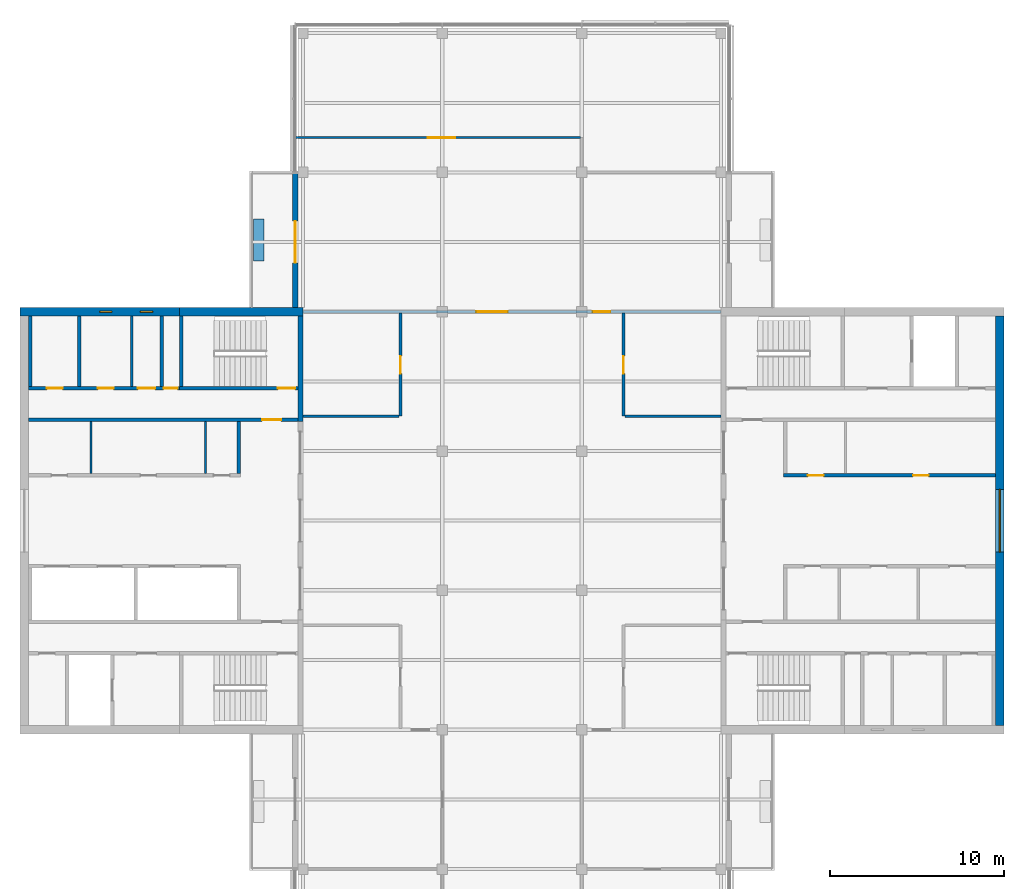
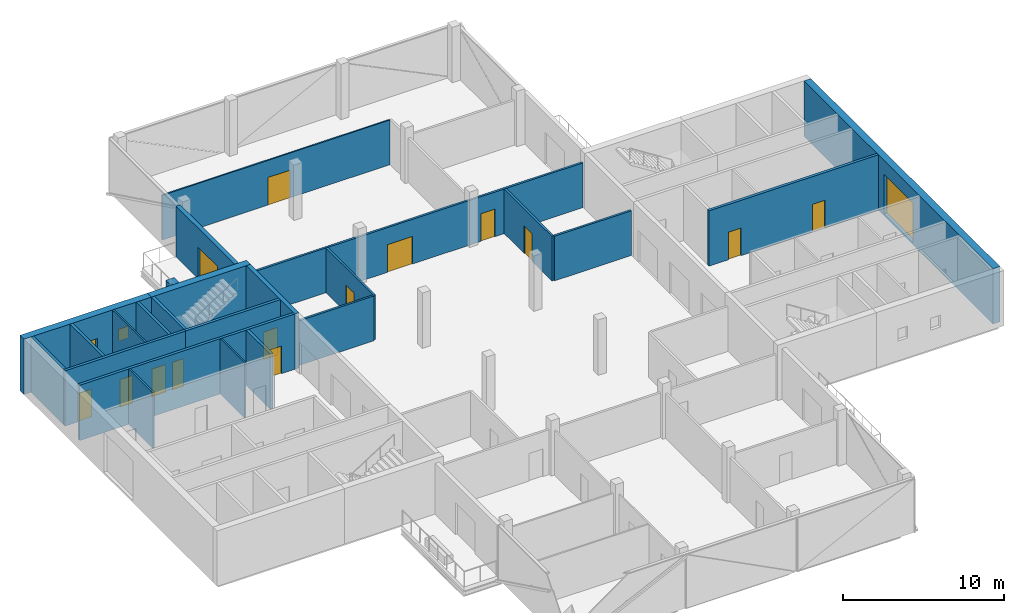
# One storey, part 7 of 11: 24 walls, 14 doors, 3 windows, 17 openings.
"""IFC4 building model written with IfcOpenShell, lengths in metres."""

from ifc_helpers import new_model, si_unit, direction, frame, frame_2d, origin, place, context, subcontext, project, spatial, rectangle, extrude, material, layer, layer_set, constituent, constituent_set, type_object, element, fill, save


model = new_model("IFC4")

# Units and contexts
model_context = context("Model", 3, precision=1e-05, world=origin(), true_north=direction((0.0, 1.0)))
body_context = subcontext(model_context, "Body", "Model", "MODEL_VIEW")
ifc_project = project(units=[si_unit("LENGTHUNIT", "METRE"), si_unit("AREAUNIT", "SQUARE_METRE"), si_unit("VOLUMEUNIT", "CUBIC_METRE"), si_unit("PLANEANGLEUNIT", "RADIAN"), si_unit("MASSUNIT", "GRAM", prefix="KILO")], contexts=[model_context])

# Site, building, storey
site_placement = place(None, origin())
site = spatial("IfcSite", under=ifc_project, at=site_placement, CompositionType="ELEMENT")
building_placement = place(site_placement, origin())
building = spatial("IfcBuilding", under=site, at=building_placement, Name="Crosswind Convention Tower", CompositionType="ELEMENT")
storey_placement = place(building_placement, frame((0.0, 0.0, 344.89990234375)))
storey = spatial("IfcBuildingStorey", under=building, at=storey_placement, Name="L75", CompositionType="ELEMENT", Elevation=344.89990234375)

# Walls
ifc_material_1 = material(Name="Concrete blockwork", Category="masonry")
ifc_layer_1 = layer(ifc_material_1, 0.199951171875)
ifc_layer_set_1 = layer_set([ifc_layer_1], Name="Blockwork partition wall 200")
wall_type_1 = type_object("IfcWallType", Name="Blockwork partition wall 200", PredefinedType="PARTITIONING", material=ifc_layer_set_1)
wall_1_placement = place(storey_placement, frame((104.89990234375, 111.75, 0.0), z_axis=(0.0, 0.0, 1.0), x_axis=(0.0, -1.0, 0.0)))
element("IfcWall", 1, at=wall_1_placement, inside=storey, type_object=wall_type_1, Name="Wall MRSE W L75", PredefinedType="PARTITIONING", context=body_context, shape_type="SweptSolid", body=[
    extrude(rectangle(XDim=4.050048828125, YDim=0.199951171875, at=frame_2d((2.02490234375, 0.0))), origin(), (0.0, 0.0, 1.0), 4.2001953125),
])
ifc_material_2 = material(Name="Concrete C50/60", Category="concrete")
ifc_layer_2 = layer(ifc_material_2, 0.300048828125)
ifc_layer_set_2 = layer_set([ifc_layer_2], Name="Concrete C50/60")
wall_type_2 = type_object("IfcWallType", Name="Concrete inner core wall 300", PredefinedType="SHEAR", material=ifc_layer_set_2)
wall_2_placement = place(storey_placement, frame((112.85009765625, 111.75, 0.0), z_axis=(0.0, 0.0, 1.0), x_axis=(0.0, -1.0, 0.0)))
element("IfcWall", 2, at=wall_2_placement, inside=storey, type_object=wall_type_2, Name="Wall EM W L75", PredefinedType="SHEAR", context=body_context, shape_type="SweptSolid", body=[
    extrude(rectangle(XDim=6.050048828125, YDim=0.300048828125, at=frame_2d((3.02490234375, 0.0))), origin(), (0.0, 0.0, 1.0), 4.2001953125),
])

# Wall, openings, doors
ifc_layer_3 = layer(ifc_material_2, 0.199951171875)
ifc_layer_set_3 = layer_set([ifc_layer_3], Name="Concrete C50/60")
wall_type_3 = type_object("IfcWallType", Name="Concrete shaft and stair wall 200", PredefinedType="SHEAR", material=ifc_layer_set_3)
wall_3_placement = place(storey_placement, frame((140.60009765625, 102.60009765625, 0.0), z_axis=(0.0, 0.0, 1.0), x_axis=(1.0, 0.0, 0.0)))
wall_3 = element("IfcWall", 3, at=wall_3_placement, inside=storey, type_object=wall_type_3, Name="Wall RPFRONT E L75", PredefinedType="SHEAR", context=body_context, shape_type="SweptSolid", body=[
    extrude(rectangle(XDim=12.14990234375, YDim=0.199951171875, at=frame_2d((6.074951171875, 0.0))), origin(), (0.0, 0.0, 1.0), 4.2001953125),
])
opening_1_placement = place(wall_3_placement, frame((1.391845703125, 0.0, 0.0)))
opening_1 = element("IfcOpeningElement", 4, at=opening_1_placement, cuts=wall_3, Name="Opening D106", PredefinedType="OPENING", context=body_context, shape_type="SweptSolid", body=[
    extrude(rectangle(XDim=0.89990234375, YDim=2.10009765625, at=frame_2d((0.449951171875, 1.050048828125))), frame((0.0, 0.10986328125, 0.0), z_axis=(0.0, -1.0, 0.0), x_axis=(1.0, 0.0, 0.0)), (0.0, 0.0, 1.0), 0.219970703125),
])
opening_2_placement = place(wall_3_placement, frame((7.42919921875, 0.0, 0.0)))
opening_2 = element("IfcOpeningElement", 5, at=opening_2_placement, cuts=wall_3, Name="Opening D106", PredefinedType="OPENING", context=body_context, shape_type="SweptSolid", body=[
    extrude(rectangle(XDim=0.89990234375, YDim=2.10009765625, at=frame_2d((0.449951171875, 1.050048828125))), frame((0.0, 0.10986328125, 0.0), z_axis=(0.0, -1.0, 0.0), x_axis=(1.0, 0.0, 0.0)), (0.0, 0.0, 1.0), 0.219970703125),
])
ifc_material_3 = material(Name="Timber door", Category="wood")
door_type_1 = type_object("IfcDoorType", Name="Single leaf door 900x2100", OperationType="NOTDEFINED", PredefinedType="DOOR", material=ifc_material_3)
door_1_placement = place(opening_1_placement, origin())
door_1 = element("IfcDoor", 6, at=door_1_placement, inside=storey, type_object=door_type_1, Name="Door to catering store L75", ObjectType="D106", OperationType="SINGLE_SWING_RIGHT", OverallHeight=2.10009765625, OverallWidth=0.89990234375, PredefinedType="DOOR", context=body_context, shape_type="SweptSolid", body=[
    extrude(rectangle(XDim=0.89990234375, YDim=2.10009765625, at=frame_2d((0.449951171875, 1.050048828125))), frame((0.0, 0.02490234375, 0.0), z_axis=(0.0, -1.0, 0.0), x_axis=(1.0, 0.0, 0.0)), (0.0, 0.0, 1.0), 0.050048828125),
])
fill(opening_1, door_1)
door_2_placement = place(opening_2_placement, origin())
door_2 = element("IfcDoor", 7, at=door_2_placement, inside=storey, type_object=door_type_1, Name="Door to meeting room L75", ObjectType="D106", OperationType="SINGLE_SWING_RIGHT", OverallHeight=2.10009765625, OverallWidth=0.89990234375, PredefinedType="DOOR", context=body_context, shape_type="SweptSolid", body=[
    extrude(rectangle(XDim=0.89990234375, YDim=2.10009765625, at=frame_2d((0.449951171875, 1.050048828125))), frame((0.0, 0.02490234375, 0.0), z_axis=(0.0, -1.0, 0.0), x_axis=(1.0, 0.0, 0.0)), (0.0, 0.0, 1.0), 0.050048828125),
])
fill(opening_2, door_2)

# Wall
wall_4_placement = place(storey_placement, frame((109.300048828125, 105.699951171875, 0.0), z_axis=(0.0, 0.0, 1.0), x_axis=(0.0, -1.0, 0.0)))
element("IfcWall", 8, at=wall_4_placement, inside=storey, type_object=wall_type_3, Name="Wall RMEND W L75", PredefinedType="SHEAR", context=body_context, shape_type="SweptSolid", body=[
    extrude(rectangle(XDim=3.0, YDim=0.199951171875, at=frame_2d((1.5, 0.0))), origin(), (0.0, 0.0, 1.0), 4.2001953125),
])

# Wall, opening, door
wall_5_placement = place(storey_placement, frame((112.699951171875, 105.800048828125, 0.0), z_axis=(0.0, 0.0, 1.0), x_axis=(-1.0, 0.0, 0.0)))
wall_5 = element("IfcWall", 9, at=wall_5_placement, inside=storey, type_object=wall_type_3, Name="Wall HM W L75", PredefinedType="SHEAR", context=body_context, shape_type="SweptSolid", body=[
    extrude(rectangle(XDim=15.449951171875, YDim=0.199951171875, at=frame_2d((7.72509765625, 0.0))), origin(), (0.0, 0.0, 1.0), 4.2001953125),
])
opening_3_placement = place(wall_5_placement, frame((0.949951171875, 0.0, 0.0)))
opening_3 = element("IfcOpeningElement", 10, at=opening_3_placement, cuts=wall_5, Name="Opening D104", PredefinedType="OPENING", context=body_context, shape_type="SweptSolid", body=[
    extrude(rectangle(XDim=1.10009765625, YDim=2.10009765625, at=frame_2d((0.550048828125, 1.050048828125))), frame((0.0, 0.10986328125, 0.0), z_axis=(0.0, -1.0, 0.0), x_axis=(1.0, 0.0, 0.0)), (0.0, 0.0, 1.0), 0.219970703125),
])
ifc_material_4 = material(Name="Steel fire door", Category="steel")
door_type_2 = type_object("IfcDoorType", Name="Fire-rated single door 1100x2100", OperationType="NOTDEFINED", PredefinedType="DOOR", material=ifc_material_4)
door_3_placement = place(opening_3_placement, origin())
door_3 = element("IfcDoor", 11, at=door_3_placement, inside=storey, type_object=door_type_2, Name="Corridor door L75", ObjectType="D104", OperationType="SINGLE_SWING_LEFT", OverallHeight=2.10009765625, OverallWidth=1.10009765625, PredefinedType="DOOR", context=body_context, shape_type="SweptSolid", body=[
    extrude(rectangle(XDim=1.10009765625, YDim=2.10009765625, at=frame_2d((0.550048828125, 1.050048828125))), frame((0.0, 0.02490234375, 0.0), z_axis=(0.0, -1.0, 0.0), x_axis=(1.0, 0.0, 0.0)), (0.0, 0.0, 1.0), 0.050048828125),
])
fill(opening_3, door_3)

# Walls
for number, where, z_axis, x_axis, name in (
    (12, (106.0, 111.75, 0.0), (0.0, 0.0, 1.0), (0.0, -1.0, 0.0), "Wall MSE W L75"),
    (13, (100.14990234375, 111.75, 0.0), (0.0, 0.0, 1.0), (0.0, -1.0, 0.0), "Wall MFSW W L75"),
    (14, (97.35009765625, 111.75, 0.0), (0.0, 0.0, 1.0), (0.0, -1.0, 0.0), "Wall MFSE W L75"),
):
    element("IfcWall", number, at=place(storey_placement, frame(where, z_axis=z_axis, x_axis=x_axis)), inside=storey, type_object=wall_type_3, Name=name, PredefinedType="SHEAR", context=body_context, shape_type="SweptSolid", body=[
        extrude(rectangle(XDim=4.050048828125, YDim=0.199951171875, at=frame_2d((2.02490234375, 0.0))), origin(), (0.0, 0.0, 1.0), 4.2001953125),
    ])

# Wall, opening, door
wall_6_placement = place(storey_placement, frame((112.699951171875, 107.60009765625, 0.0), z_axis=(0.0, 0.0, 1.0), x_axis=(-1.0, 0.0, 0.0)))
wall_6 = element("IfcWall", 15, at=wall_6_placement, inside=storey, type_object=wall_type_3, Name="Wall MCW W L75", PredefinedType="SHEAR", context=body_context, shape_type="SweptSolid", body=[
    extrude(rectangle(XDim=6.800048828125, YDim=0.199951171875, at=frame_2d((3.39990234375, 0.0))), origin(), (0.0, 0.0, 1.0), 4.2001953125),
])
opening_4_placement = place(wall_6_placement, frame((0.14990234375, 0.0, 0.0)))
opening_4 = element("IfcOpeningElement", 16, at=opening_4_placement, cuts=wall_6, Name="Opening D103", PredefinedType="OPENING", context=body_context, shape_type="SweptSolid", body=[
    extrude(rectangle(XDim=1.0, YDim=2.10009765625, at=frame_2d((0.5, 1.050048828125))), frame((0.0, 0.10986328125, 0.0), z_axis=(0.0, -1.0, 0.0), x_axis=(1.0, 0.0, 0.0)), (0.0, 0.0, 1.0), 0.219970703125),
])
door_type_3 = type_object("IfcDoorType", Name="Fire-rated single door 1000x2100", OperationType="NOTDEFINED", PredefinedType="DOOR", material=ifc_material_4)
door_4_placement = place(opening_4_placement, frame((1.0, 0.0, 0.0), z_axis=(0.0, 0.0, 1.0), x_axis=(-1.0, 0.0, 0.0)))
door_4 = element("IfcDoor", 17, at=door_4_placement, inside=storey, type_object=door_type_3, Name="Stair ST4 door L75", ObjectType="D103", OperationType="SINGLE_SWING_RIGHT", OverallHeight=2.10009765625, OverallWidth=1.0, PredefinedType="DOOR", context=body_context, shape_type="SweptSolid", body=[
    extrude(rectangle(XDim=1.0, YDim=2.10009765625, at=frame_2d((0.5, 1.050048828125))), frame((0.0, 0.02490234375, 0.0), z_axis=(0.0, -1.0, 0.0), x_axis=(1.0, 0.0, 0.0)), (0.0, 0.0, 1.0), 0.050048828125),
])
fill(opening_4, door_4)

# Wall, openings, doors
wall_7_placement = place(storey_placement, frame((105.89990234375, 107.60009765625, 0.0), z_axis=(0.0, 0.0, 1.0), x_axis=(-1.0, 0.0, 0.0)))
wall_7 = element("IfcWall", 18, at=wall_7_placement, inside=storey, type_object=wall_type_3, Name="Wall MCX W L75", PredefinedType="SHEAR", context=body_context, shape_type="SweptSolid", body=[
    extrude(rectangle(XDim=8.64990234375, YDim=0.199951171875, at=frame_2d((4.324951171875, 0.0))), origin(), (0.0, 0.0, 1.0), 4.2001953125),
])
opening_5_placement = place(wall_7_placement, frame((0.10009765625, 0.0, 0.0)))
opening_5 = element("IfcOpeningElement", 19, at=opening_5_placement, cuts=wall_7, Name="Opening D105", PredefinedType="OPENING", context=body_context, shape_type="SweptSolid", body=[
    extrude(rectangle(XDim=0.800048828125, YDim=2.10009765625, at=frame_2d((0.39990234375, 1.050048828125))), frame((0.0, 0.10986328125, 0.0), z_axis=(0.0, -1.0, 0.0), x_axis=(1.0, 0.0, 0.0)), (0.0, 0.0, 1.0), 0.219970703125),
])
opening_6_placement = place(wall_7_placement, frame((1.3876953125, 0.0, 0.0)))
opening_6 = element("IfcOpeningElement", 20, at=opening_6_placement, cuts=wall_7, Name="Opening D103", PredefinedType="OPENING", context=body_context, shape_type="SweptSolid", body=[
    extrude(rectangle(XDim=1.0, YDim=2.10009765625, at=frame_2d((0.5, 1.050048828125))), frame((0.0, 0.10986328125, 0.0), z_axis=(0.0, -1.0, 0.0), x_axis=(1.0, 0.0, 0.0)), (0.0, 0.0, 1.0), 0.219970703125),
])
opening_7_placement = place(wall_7_placement, frame((3.775146484375, 0.0, 0.0)))
opening_7 = element("IfcOpeningElement", 21, at=opening_7_placement, cuts=wall_7, Name="Opening D106", PredefinedType="OPENING", context=body_context, shape_type="SweptSolid", body=[
    extrude(rectangle(XDim=0.89990234375, YDim=2.10009765625, at=frame_2d((0.449951171875, 1.050048828125))), frame((0.0, 0.10986328125, 0.0), z_axis=(0.0, -1.0, 0.0), x_axis=(1.0, 0.0, 0.0)), (0.0, 0.0, 1.0), 0.219970703125),
])
opening_8_placement = place(wall_7_placement, frame((6.699951171875, 0.0, 0.0)))
opening_8 = element("IfcOpeningElement", 22, at=opening_8_placement, cuts=wall_7, Name="Opening D106", PredefinedType="OPENING", context=body_context, shape_type="SweptSolid", body=[
    extrude(rectangle(XDim=0.89990234375, YDim=2.10009765625, at=frame_2d((0.449951171875, 1.050048828125))), frame((0.0, 0.10986328125, 0.0), z_axis=(0.0, -1.0, 0.0), x_axis=(1.0, 0.0, 0.0)), (0.0, 0.0, 1.0), 0.219970703125),
])
door_5_placement = place(opening_6_placement, frame((1.0, 0.0, 0.0), z_axis=(0.0, 0.0, 1.0), x_axis=(-1.0, 0.0, 0.0)))
door_5 = element("IfcDoor", 23, at=door_5_placement, inside=storey, type_object=door_type_3, Name="Door to accessible wc L75", ObjectType="D103", OperationType="SINGLE_SWING_LEFT", OverallHeight=2.10009765625, OverallWidth=1.0, PredefinedType="DOOR", context=body_context, shape_type="SweptSolid", body=[
    extrude(rectangle(XDim=1.0, YDim=2.10009765625, at=frame_2d((0.5, 1.050048828125))), frame((0.0, 0.02490234375, 0.0), z_axis=(0.0, -1.0, 0.0), x_axis=(1.0, 0.0, 0.0)), (0.0, 0.0, 1.0), 0.050048828125),
])
fill(opening_6, door_5)
door_type_4 = type_object("IfcDoorType", Name="Riser access door 800x2100", OperationType="NOTDEFINED", PredefinedType="DOOR", material=ifc_material_4)
door_6_placement = place(opening_5_placement, frame((0.800048828125, 0.0, 0.0), z_axis=(0.0, 0.0, 1.0), x_axis=(-1.0, 0.0, 0.0)))
door_6 = element("IfcDoor", 24, at=door_6_placement, inside=storey, type_object=door_type_4, Name="Riser door L75", ObjectType="D105", OperationType="SINGLE_SWING_LEFT", OverallHeight=2.10009765625, OverallWidth=0.800048828125, PredefinedType="DOOR", context=body_context, shape_type="SweptSolid", body=[
    extrude(rectangle(XDim=0.800048828125, YDim=2.10009765625, at=frame_2d((0.39990234375, 1.050048828125))), frame((0.0, 0.02490234375, 0.0), z_axis=(0.0, -1.0, 0.0), x_axis=(1.0, 0.0, 0.0)), (0.0, 0.0, 1.0), 0.050048828125),
])
fill(opening_5, door_6)
door_7_placement = place(opening_7_placement, frame((0.89990234375, 0.0, 0.0), z_axis=(0.0, 0.0, 1.0), x_axis=(-1.0, 0.0, 0.0)))
door_7 = element("IfcDoor", 25, at=door_7_placement, inside=storey, type_object=door_type_1, Name="Door to wc L75", ObjectType="D106", OperationType="SINGLE_SWING_LEFT", OverallHeight=2.10009765625, OverallWidth=0.89990234375, PredefinedType="DOOR", context=body_context, shape_type="SweptSolid", body=[
    extrude(rectangle(XDim=0.89990234375, YDim=2.10009765625, at=frame_2d((0.449951171875, 1.050048828125))), frame((0.0, 0.02490234375, 0.0), z_axis=(0.0, -1.0, 0.0), x_axis=(1.0, 0.0, 0.0)), (0.0, 0.0, 1.0), 0.050048828125),
])
fill(opening_7, door_7)
door_8_placement = place(opening_8_placement, frame((0.89990234375, 0.0, 0.0), z_axis=(0.0, 0.0, 1.0), x_axis=(-1.0, 0.0, 0.0)))
door_8 = element("IfcDoor", 26, at=door_8_placement, inside=storey, type_object=door_type_1, Name="Door to wc L75", ObjectType="D106", OperationType="SINGLE_SWING_LEFT", OverallHeight=2.10009765625, OverallWidth=0.89990234375, PredefinedType="DOOR", context=body_context, shape_type="SweptSolid", body=[
    extrude(rectangle(XDim=0.89990234375, YDim=2.10009765625, at=frame_2d((0.449951171875, 1.050048828125))), frame((0.0, 0.02490234375, 0.0), z_axis=(0.0, -1.0, 0.0), x_axis=(1.0, 0.0, 0.0)), (0.0, 0.0, 1.0), 0.050048828125),
])
fill(opening_8, door_8)

# Walls
ifc_material_5 = material(Name="Gypsum plasterboard partition", Category="gypsum")
ifc_layer_4 = layer(ifc_material_5, 0.125)
ifc_layer_set_4 = layer_set([ifc_layer_4], Name="Drywall partition wall 125")
wall_type_4 = type_object("IfcWallType", Name="Drywall partition wall 125", PredefinedType="PARTITIONING", material=ifc_layer_set_4)
for number, where, z_axis, x_axis, name in (
    (27, (107.407470703125, 105.699951171875, 0.0), (0.0, 0.0, 1.0), (0.0, -1.0, 0.0), "Wall RMP1 W L75"),
    (28, (100.8349609375, 105.699951171875, 0.0), (0.0, 0.0, 1.0), (0.0, -1.0, 0.0), "Wall RMP2 W L75"),
):
    element("IfcWall", number, at=place(storey_placement, frame(where, z_axis=z_axis, x_axis=x_axis)), inside=storey, type_object=wall_type_4, Name=name, PredefinedType="PARTITIONING", context=body_context, shape_type="SweptSolid", body=[
        extrude(rectangle(XDim=3.0, YDim=0.125, at=frame_2d((1.5, 0.0))), origin(), (0.0, 0.0, 1.0), 4.2001953125),
    ])
wall_8_placement = place(storey_placement, frame((103.162109375, 111.75, 0.0), z_axis=(0.0, 0.0, 1.0), x_axis=(0.0, -1.0, 0.0)))
element("IfcWall", 29, at=wall_8_placement, inside=storey, type_object=wall_type_4, Name="Wall MWP1 W L75", PredefinedType="PARTITIONING", context=body_context, shape_type="SweptSolid", body=[
    extrude(rectangle(XDim=4.050048828125, YDim=0.125, at=frame_2d((2.02490234375, 0.0))), origin(), (0.0, 0.0, 1.0), 4.2001953125),
])

# Wall, opening, door
ifc_material_6 = material(Name="Plasterboard partition", Category="gypsum")
ifc_layer_5 = layer(ifc_material_6, 0.10009765625)
ifc_layer_set_5 = layer_set([ifc_layer_5], Name="PARTITION 100 METAL STUD")
wall_type_5 = type_object("IfcWallType", Name="PARTITION 100 METAL STUD", PredefinedType="PARTITIONING", material=ifc_layer_set_5)
wall_9_placement = place(storey_placement, frame((112.56005859375, 122.0, 0.0), z_axis=(0.0, 0.0, 1.0), x_axis=(1.0, 0.0, 0.0)))
wall_9 = element("IfcWall", 30, at=wall_9_placement, inside=storey, type_object=wall_type_5, Name="Partition wall WT40", PredefinedType="PARTITIONING", context=body_context, shape_type="SweptSolid", body=[
    extrude(rectangle(XDim=16.364990234375, YDim=0.10009765625, at=frame_2d((8.1826171875, 0.0))), origin(), (0.0, 0.0, 1.0), 3.396484375),
])
opening_9_placement = place(wall_9_placement, frame((7.590087890625, 0.0, 0.0)))
opening_9 = element("IfcOpeningElement", 31, at=opening_9_placement, cuts=wall_9, Name="Opening L75-51", PredefinedType="OPENING", context=body_context, shape_type="SweptSolid", body=[
    extrude(rectangle(XDim=1.60009765625, YDim=2.10009765625, at=frame_2d((0.800048828125, 1.050048828125))), frame((0.0, 0.06005859375, 0.0), z_axis=(0.0, -1.0, 0.0), x_axis=(1.0, 0.0, 0.0)), (0.0, 0.0, 1.0), 0.1201171875),
])
door_type_5 = type_object("IfcDoorType", Name="INTERNAL DOUBLE DOOR 1600X2100", OperationType="DOUBLE_DOOR_SINGLE_SWING", PredefinedType="DOOR", material=ifc_material_3)
door_9_placement = place(opening_9_placement, origin())
door_9 = element("IfcDoor", 32, at=door_9_placement, inside=storey, type_object=door_type_5, Name="Door L75-51", ObjectType="D46", OperationType="DOUBLE_DOOR_SINGLE_SWING", OverallHeight=2.10009765625, OverallWidth=1.60009765625, PredefinedType="DOOR", context=body_context, shape_type="SweptSolid", body=[
    extrude(rectangle(XDim=1.60009765625, YDim=2.10009765625, at=frame_2d((0.800048828125, 1.050048828125))), frame((0.0, 0.02490234375, 0.0), z_axis=(0.0, -1.0, 0.0), x_axis=(1.0, 0.0, 0.0)), (0.0, 0.0, 1.0), 0.050048828125),
])
fill(opening_9, door_9)

# Wall
ifc_material_7 = material(Name="Concrete C30/37", Category="concrete")
ifc_layer_6 = layer(ifc_material_7, 0.60009765625)
ifc_layer_set_6 = layer_set([ifc_layer_6], Name="Concrete C30/37")
wall_type_6 = type_object("IfcWallType", Name="PLANTER BOX WALL 600", PredefinedType="SOLIDWALL", material=ifc_layer_set_6)
wall_10_placement = place(storey_placement, frame((110.449951171875, 117.324951171875, 0.0), z_axis=(0.0, 0.0, 1.0), x_axis=(0.0, -1.0, 0.0)))
element("IfcWall", 33, at=wall_10_placement, inside=storey, type_object=wall_type_6, Name="PLANTER L75 N-W.1-2", PredefinedType="SOLIDWALL", context=body_context, shape_type="SweptSolid", body=[
    extrude(rectangle(XDim=2.39990234375, YDim=0.60009765625, at=frame_2d((1.199951171875, 0.0))), origin(), (0.0, 0.0, 1.0), 0.60009765625),
])

# Wall, opening, door
ifc_material_8 = material(Name="Fire-board partition with mineral wool", Category="gypsum")
ifc_layer_7 = layer(ifc_material_8, 0.14990234375)
ifc_layer_set_7 = layer_set([ifc_layer_7], Name="TENANCY WALL 150 TWO-HOUR BOARD")
wall_type_7 = type_object("IfcWallType", Name="TENANCY WALL 150 TWO-HOUR BOARD", PredefinedType="PARTITIONING", material=ifc_layer_set_7)
wall_11_placement = place(storey_placement, frame((118.60009765625, 106.0, 0.0), z_axis=(0.0, 0.0, 1.0), x_axis=(0.0, 1.0, 0.0)))
wall_11 = element("IfcWall", 34, at=wall_11_placement, inside=storey, type_object=wall_type_7, Name="Tenancy wall WT41", PredefinedType="PARTITIONING", context=body_context, shape_type="SweptSolid", body=[
    extrude(rectangle(XDim=5.925048828125, YDim=0.14990234375, at=frame_2d((2.96240234375, 0.0))), origin(), (0.0, 0.0, 1.0), 3.396484375),
])
opening_10_placement = place(wall_11_placement, frame((2.449951171875, 0.0, 0.0)))
opening_10 = element("IfcOpeningElement", 35, at=opening_10_placement, cuts=wall_11, Name="Opening L75-60", PredefinedType="OPENING", context=body_context, shape_type="SweptSolid", body=[
    extrude(rectangle(XDim=1.0, YDim=2.10009765625, at=frame_2d((0.5, 1.050048828125))), frame((0.0, 0.0849609375, 0.0), z_axis=(0.0, -1.0, 0.0), x_axis=(1.0, 0.0, 0.0)), (0.0, 0.0, 1.0), 0.169921875),
])
ifc_material_9 = material(Name="Timber fire door", Category="wood")
door_type_6 = type_object("IfcDoorType", Name="TENANCY ENTRANCE DOOR 1000X2100 FD30S", OperationType="NOTDEFINED", PredefinedType="DOOR", material=ifc_material_9)
door_10_placement = place(opening_10_placement, origin())
door_10 = element("IfcDoor", 36, at=door_10_placement, inside=storey, type_object=door_type_6, Name="Door L75-60", ObjectType="D41", OperationType="SINGLE_SWING_LEFT", OverallHeight=2.10009765625, OverallWidth=1.0, PredefinedType="DOOR", context=body_context, shape_type="SweptSolid", body=[
    extrude(rectangle(XDim=1.0, YDim=2.10009765625, at=frame_2d((0.5, 1.050048828125))), frame((0.0, 0.02490234375, 0.0), z_axis=(0.0, -1.0, 0.0), x_axis=(1.0, 0.0, 0.0)), (0.0, 0.0, 1.0), 0.050048828125),
])
fill(opening_10, door_10)

wall_12_placement = place(storey_placement, frame((131.39990234375, 106.0, 0.0), z_axis=(0.0, 0.0, 1.0), x_axis=(0.0, 1.0, 0.0)))
wall_12 = element("IfcWall", 37, at=wall_12_placement, inside=storey, type_object=wall_type_7, Name="Tenancy wall WT41", PredefinedType="PARTITIONING", context=body_context, shape_type="SweptSolid", body=[
    extrude(rectangle(XDim=5.925048828125, YDim=0.14990234375, at=frame_2d((2.96240234375, 0.0))), origin(), (0.0, 0.0, 1.0), 3.396484375),
])
opening_11_placement = place(wall_12_placement, frame((2.449951171875, 0.0, 0.0)))
opening_11 = element("IfcOpeningElement", 38, at=opening_11_placement, cuts=wall_12, Name="Opening L75-63", PredefinedType="OPENING", context=body_context, shape_type="SweptSolid", body=[
    extrude(rectangle(XDim=1.0, YDim=2.10009765625, at=frame_2d((0.5, 1.050048828125))), frame((0.0, 0.0849609375, 0.0), z_axis=(0.0, -1.0, 0.0), x_axis=(1.0, 0.0, 0.0)), (0.0, 0.0, 1.0), 0.169921875),
])
door_11_placement = place(opening_11_placement, frame((1.0, 0.0, 0.0), z_axis=(0.0, 0.0, 1.0), x_axis=(-1.0, 0.0, 0.0)))
door_11 = element("IfcDoor", 39, at=door_11_placement, inside=storey, type_object=door_type_6, Name="Door L75-63", ObjectType="D41", OperationType="SINGLE_SWING_RIGHT", OverallHeight=2.10009765625, OverallWidth=1.0, PredefinedType="DOOR", context=body_context, shape_type="SweptSolid", body=[
    extrude(rectangle(XDim=1.0, YDim=2.10009765625, at=frame_2d((0.5, 1.050048828125))), frame((0.0, 0.02490234375, 0.0), z_axis=(0.0, -1.0, 0.0), x_axis=(1.0, 0.0, 0.0)), (0.0, 0.0, 1.0), 0.050048828125),
])
fill(opening_11, door_11)

# Walls
for number, where, z_axis, x_axis, name in (
    (40, (113.0, 106.0, 0.0), (0.0, 0.0, 1.0), (1.0, 0.0, 0.0), "Tenancy wall WT41"),
    (41, (131.47509765625, 106.0, 0.0), (0.0, 0.0, 1.0), (1.0, 0.0, 0.0), "Tenancy wall WT41"),
):
    element("IfcWall", number, at=place(storey_placement, frame(where, z_axis=z_axis, x_axis=x_axis)), inside=storey, type_object=wall_type_7, Name=name, PredefinedType="PARTITIONING", context=body_context, shape_type="SweptSolid", body=[
        extrude(rectangle(XDim=5.52490234375, YDim=0.14990234375, at=frame_2d((2.762451171875, 0.0))), origin(), (0.0, 0.0, 1.0), 3.396484375),
    ])

# Wall, openings, doors
wall_13_placement = place(storey_placement, frame((113.0, 112.0, 0.0), z_axis=(0.0, 0.0, 1.0), x_axis=(1.0, 0.0, 0.0)))
wall_13 = element("IfcWall", 42, at=wall_13_placement, inside=storey, type_object=wall_type_7, Name="Tenancy wall WT41", PredefinedType="PARTITIONING", context=body_context, shape_type="SweptSolid", body=[
    extrude(rectangle(XDim=24.0, YDim=0.14990234375, at=frame_2d((12.0, 0.0))), origin(), (0.0, 0.0, 1.0), 3.396484375),
])
opening_12_placement = place(wall_13_placement, frame((9.949951171875, 0.0, 0.0)))
opening_12 = element("IfcOpeningElement", 43, at=opening_12_placement, cuts=wall_13, Name="Opening L75-50", PredefinedType="OPENING", context=body_context, shape_type="SweptSolid", body=[
    extrude(rectangle(XDim=1.800048828125, YDim=2.10009765625, at=frame_2d((0.89990234375, 1.050048828125))), frame((0.0, 0.0849609375, 0.0), z_axis=(0.0, -1.0, 0.0), x_axis=(1.0, 0.0, 0.0)), (0.0, 0.0, 1.0), 0.169921875),
])
opening_13_placement = place(wall_13_placement, frame((16.64990234375, 0.0, 0.0)))
opening_13 = element("IfcOpeningElement", 44, at=opening_13_placement, cuts=wall_13, Name="Opening L75-52", PredefinedType="OPENING", context=body_context, shape_type="SweptSolid", body=[
    extrude(rectangle(XDim=1.0, YDim=2.10009765625, at=frame_2d((0.5, 1.050048828125))), frame((0.0, 0.0849609375, 0.0), z_axis=(0.0, -1.0, 0.0), x_axis=(1.0, 0.0, 0.0)), (0.0, 0.0, 1.0), 0.169921875),
])
door_12_placement = place(opening_13_placement, frame((1.0, 0.0, 0.0), z_axis=(0.0, 0.0, 1.0), x_axis=(-1.0, 0.0, 0.0)))
door_12 = element("IfcDoor", 45, at=door_12_placement, inside=storey, type_object=door_type_6, Name="Door L75-52", ObjectType="D41", OperationType="SINGLE_SWING_RIGHT", OverallHeight=2.10009765625, OverallWidth=1.0, PredefinedType="DOOR", context=body_context, shape_type="SweptSolid", body=[
    extrude(rectangle(XDim=1.0, YDim=2.10009765625, at=frame_2d((0.5, 1.050048828125))), frame((0.0, 0.02490234375, 0.0), z_axis=(0.0, -1.0, 0.0), x_axis=(1.0, 0.0, 0.0)), (0.0, 0.0, 1.0), 0.050048828125),
])
fill(opening_13, door_12)
door_type_7 = type_object("IfcDoorType", Name="TENANCY ENTRANCE DOUBLE DOOR 1800X2100 FD30S", OperationType="DOUBLE_DOOR_SINGLE_SWING", PredefinedType="DOOR", material=ifc_material_9)
door_13_placement = place(opening_12_placement, frame((1.800048828125, 0.0, 0.0), z_axis=(0.0, 0.0, 1.0), x_axis=(-1.0, 0.0, 0.0)))
door_13 = element("IfcDoor", 46, at=door_13_placement, inside=storey, type_object=door_type_7, Name="Door L75-50", ObjectType="D42", OperationType="DOUBLE_DOOR_SINGLE_SWING", OverallHeight=2.10009765625, OverallWidth=1.800048828125, PredefinedType="DOOR", context=body_context, shape_type="SweptSolid", body=[
    extrude(rectangle(XDim=1.800048828125, YDim=2.10009765625, at=frame_2d((0.89990234375, 1.050048828125))), frame((0.0, 0.02490234375, 0.0), z_axis=(0.0, -1.0, 0.0), x_axis=(1.0, 0.0, 0.0)), (0.0, 0.0, 1.0), 0.050048828125),
])
fill(opening_12, door_13)

# Wall, opening, door
ifc_material_10 = material(Name="Terracotta rainscreen", Category="ceramic")
ifc_layer_8 = layer(ifc_material_10, 0.02001953125)
ifc_material_11 = material(Name="Mineral wool insulation", Category="insulation")
ifc_layer_9 = layer(ifc_material_11, 0.10009765625)
ifc_layer_10 = layer(ifc_material_1, 0.179931640625)
ifc_layer_set_8 = layer_set([ifc_layer_8, ifc_layer_9, ifc_layer_10], Name="TERRACOTTA INFILL WALL 300")
wall_type_8 = type_object("IfcWallType", Name="TERRACOTTA INFILL WALL 300", PredefinedType="SOLIDWALL", material=ifc_layer_set_8)
wall_14_placement = place(storey_placement, frame((112.550048828125, 119.96240234375, 0.0), z_axis=(0.0, 0.0, 1.0), x_axis=(0.0, -1.0, 0.0)))
wall_14 = element("IfcWall", 47, at=wall_14_placement, inside=storey, type_object=wall_type_8, Name="Notch front wall L75 N-W.1-2", PredefinedType="SOLIDWALL", context=body_context, shape_type="SweptSolid", body=[
    extrude(rectangle(XDim=7.71240234375, YDim=0.300048828125, at=frame_2d((3.856201171875, 0.0))), origin(), (0.0, 0.0, 1.0), 3.85009765625),
])
opening_14_placement = place(wall_14_placement, frame((2.762451171875, 0.0, 0.0)))
opening_14 = element("IfcOpeningElement", 48, at=opening_14_placement, cuts=wall_14, Name="Opening D143", PredefinedType="OPENING", context=body_context, shape_type="SweptSolid", body=[
    extrude(rectangle(XDim=2.39990234375, YDim=2.39990234375, at=frame_2d((1.199951171875, 1.199951171875))), frame((0.0, 0.159912109375, 0.0), z_axis=(0.0, -1.0, 0.0), x_axis=(1.0, 0.0, 0.0)), (0.0, 0.0, 1.0), 0.320068359375),
])
ifc_material_12 = material(Name="Aluminium glazed door", Category="aluminium")
door_type_8 = type_object("IfcDoorType", Name="WINTER GARDEN SLIDING DOOR 2400X2400", OperationType="SLIDING_TO_LEFT", PredefinedType="DOOR", material=ifc_material_12)
door_14_placement = place(opening_14_placement, frame((2.39990234375, 0.0, 0.0), z_axis=(0.0, 0.0, 1.0), x_axis=(-1.0, 0.0, 0.0)))
door_14 = element("IfcDoor", 49, at=door_14_placement, inside=storey, type_object=door_type_8, Name="D143 winter garden door L75 N-W.1-2", ObjectType="D143", OperationType="SLIDING_TO_LEFT", OverallHeight=2.39990234375, OverallWidth=2.39990234375, PredefinedType="DOOR", context=body_context, shape_type="SweptSolid", body=[
    extrude(rectangle(XDim=2.39990234375, YDim=2.39990234375, at=frame_2d((1.199951171875, 1.199951171875))), frame((0.0, 0.02490234375, 0.0), z_axis=(0.0, -1.0, 0.0), x_axis=(1.0, 0.0, 0.0)), (0.0, 0.0, 1.0), 0.050048828125),
])
fill(opening_14, door_14)

# Wall, opening, window
ifc_material_13 = material(Name="Concrete C60/75", Category="concrete")
ifc_constituent_1 = constituent(ifc_material_13, Name="Structure")
ifc_constituent_2 = constituent(ifc_material_10, Name="Facing")
ifc_constituent_set = constituent_set(constituents=[ifc_constituent_1, ifc_constituent_2], Name="Concrete C60/75, Terracotta rainscreen")
wall_type_9 = type_object("IfcWallType", Name="Terracotta rainscreen on concrete core wall 500", PredefinedType="SHEAR", material=ifc_constituent_set)
wall_15_placement = place(storey_placement, frame((153.0, 88.25, 0.0), z_axis=(0.0, 0.0, 1.0), x_axis=(0.0, 1.0, 0.0)))
wall_15 = element("IfcWall", 50, at=wall_15_placement, inside=storey, type_object=wall_type_9, Name="Wall O E L75", PredefinedType="SHEAR", context=body_context, shape_type="SweptSolid", body=[
    extrude(rectangle(XDim=23.5, YDim=0.5, at=frame_2d((11.75, 0.0))), origin(), (0.0, 0.0, 1.0), 4.2001953125),
])
opening_15_placement = place(wall_15_placement, frame((9.949951171875, 0.0, 0.14990234375)))
opening_15 = element("IfcOpeningElement", 51, at=opening_15_placement, cuts=wall_15, Name="Opening W1", PredefinedType="OPENING", context=body_context, shape_type="SweptSolid", body=[
    extrude(rectangle(XDim=3.60009765625, YDim=3.0, at=frame_2d((1.800048828125, 1.5))), frame((0.0, 0.260009765625, 0.0), z_axis=(0.0, -1.0, 0.0), x_axis=(1.0, 0.0, 0.0)), (0.0, 0.0, 1.0), 0.52001953125),
])
ifc_material_14 = material(Name="Clear laminated glass in aluminium frame", Category="aluminium")
window_type_1 = type_object("IfcWindowType", Name="Lobby end window 3600x3000", PartitioningType="SINGLE_PANEL", PredefinedType="WINDOW", material=ifc_material_14)
window_1_placement = place(opening_15_placement, origin())
window_1 = element("IfcWindow", 52, at=window_1_placement, inside=storey, type_object=window_type_1, Name="Lobby end window L75", ObjectType="W1", OverallHeight=3.0, OverallWidth=3.60009765625, PartitioningType="SINGLE_PANEL", PredefinedType="WINDOW", context=body_context, shape_type="SweptSolid", body=[
    extrude(rectangle(XDim=3.60009765625, YDim=3.0, at=frame_2d((1.800048828125, 1.5))), frame((0.0, 0.030029296875, 0.0), z_axis=(0.0, -1.0, 0.0), x_axis=(1.0, 0.0, 0.0)), (0.0, 0.0, 1.0), 0.06005859375),
])
fill(opening_15, window_1)

# Wall
wall_16_placement = place(storey_placement, frame((113.0, 112.0, 0.0), z_axis=(0.0, 0.0, 1.0), x_axis=(-1.0, 0.0, 0.0)))
element("IfcWall", 53, at=wall_16_placement, inside=storey, type_object=wall_type_9, Name="Wall S1 W L75", PredefinedType="SHEAR", context=body_context, shape_type="SweptSolid", body=[
    extrude(rectangle(XDim=7.10009765625, YDim=0.5, at=frame_2d((3.550048828125, 0.0))), origin(), (0.0, 0.0, 1.0), 4.2001953125),
])

# Wall, openings, windows
wall_17_placement = place(storey_placement, frame((105.89990234375, 112.0, 0.0), z_axis=(0.0, 0.0, 1.0), x_axis=(-1.0, 0.0, 0.0)))
wall_17 = element("IfcWall", 54, at=wall_17_placement, inside=storey, type_object=wall_type_9, Name="Wall S2 W L75", PredefinedType="SHEAR", context=body_context, shape_type="SweptSolid", body=[
    extrude(rectangle(XDim=9.14990234375, YDim=0.5, at=frame_2d((4.574951171875, 0.0))), origin(), (0.0, 0.0, 1.0), 4.2001953125),
])
opening_16_placement = place(wall_17_placement, frame((1.537841796875, 0.0, 1.5)))
opening_16 = element("IfcOpeningElement", 55, at=opening_16_placement, cuts=wall_17, Name="Opening W2", PredefinedType="OPENING", context=body_context, shape_type="SweptSolid", body=[
    extrude(rectangle(XDim=0.699951171875, YDim=0.89990234375, at=frame_2d((0.35009765625, 0.449951171875))), frame((0.0, 0.260009765625, 0.0), z_axis=(0.0, -1.0, 0.0), x_axis=(1.0, 0.0, 0.0)), (0.0, 0.0, 1.0), 0.52001953125),
])
opening_17_placement = place(wall_17_placement, frame((3.875244140625, 0.0, 1.5)))
opening_17 = element("IfcOpeningElement", 56, at=opening_17_placement, cuts=wall_17, Name="Opening W2", PredefinedType="OPENING", context=body_context, shape_type="SweptSolid", body=[
    extrude(rectangle(XDim=0.699951171875, YDim=0.89990234375, at=frame_2d((0.35009765625, 0.449951171875))), frame((0.0, 0.260009765625, 0.0), z_axis=(0.0, -1.0, 0.0), x_axis=(1.0, 0.0, 0.0)), (0.0, 0.0, 1.0), 0.52001953125),
])
ifc_material_15 = material(Name="Obscure glass in aluminium frame", Category="aluminium")
window_type_2 = type_object("IfcWindowType", Name="WC window 700x900", PartitioningType="SINGLE_PANEL", PredefinedType="WINDOW", material=ifc_material_15)
window_2_placement = place(opening_16_placement, origin())
window_2 = element("IfcWindow", 57, at=window_2_placement, inside=storey, type_object=window_type_2, Name="WC window L75", ObjectType="W2", OverallHeight=0.89990234375, OverallWidth=0.699951171875, PartitioningType="SINGLE_PANEL", PredefinedType="WINDOW", context=body_context, shape_type="SweptSolid", body=[
    extrude(rectangle(XDim=0.699951171875, YDim=0.89990234375, at=frame_2d((0.35009765625, 0.449951171875))), frame((0.0, 0.030029296875, 0.0), z_axis=(0.0, -1.0, 0.0), x_axis=(1.0, 0.0, 0.0)), (0.0, 0.0, 1.0), 0.06005859375),
])
fill(opening_16, window_2)
window_3_placement = place(opening_17_placement, origin())
window_3 = element("IfcWindow", 58, at=window_3_placement, inside=storey, type_object=window_type_2, Name="WC window L75", ObjectType="W2", OverallHeight=0.89990234375, OverallWidth=0.699951171875, PartitioningType="SINGLE_PANEL", PredefinedType="WINDOW", context=body_context, shape_type="SweptSolid", body=[
    extrude(rectangle(XDim=0.699951171875, YDim=0.89990234375, at=frame_2d((0.35009765625, 0.449951171875))), frame((0.0, 0.030029296875, 0.0), z_axis=(0.0, -1.0, 0.0), x_axis=(1.0, 0.0, 0.0)), (0.0, 0.0, 1.0), 0.06005859375),
])
fill(opening_17, window_3)

save(model, "model.ifc")
